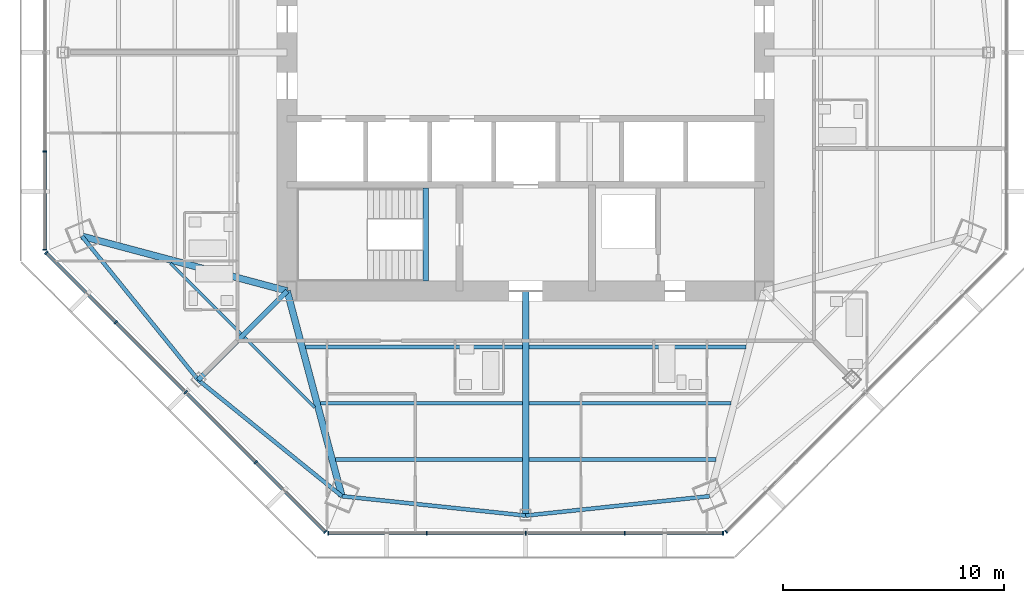
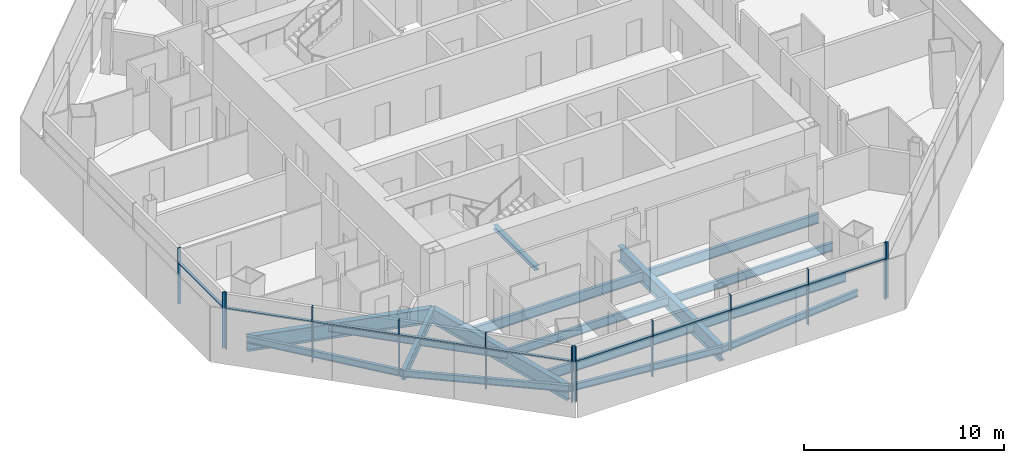
# One storey, part 2 of 15: 22 members, 17 beams, 4 elements without a shape of their own.
"""IFC4 building model written with IfcOpenShell, lengths in metres."""

from ifc_helpers import new_model, si_unit, direction, frame, origin, origin_2d, place, context, subcontext, project, spatial, rectangle, i_section, extrude, source, transform, mapped, material, material_profile, profile_set, type_object, type_shapes, element, aggregate, save


model = new_model("IFC4")

# Units and contexts
model_context = context("Model", 3, precision=1e-05, world=origin(), true_north=direction((0.0, 1.0)))
body_context = subcontext(model_context, "Body", "Model", "MODEL_VIEW")
ifc_project = project(units=[si_unit("LENGTHUNIT", "METRE"), si_unit("AREAUNIT", "SQUARE_METRE"), si_unit("VOLUMEUNIT", "CUBIC_METRE"), si_unit("PLANEANGLEUNIT", "RADIAN"), si_unit("MASSUNIT", "GRAM", prefix="KILO")], contexts=[model_context])

# Site, building, storey
site_placement = place(None, origin())
site = spatial("IfcSite", under=ifc_project, at=site_placement, CompositionType="ELEMENT")
building_placement = place(site_placement, origin())
building = spatial("IfcBuilding", under=site, at=building_placement, Name="Mashrafa Tower", CompositionType="ELEMENT")
storey_placement = place(building_placement, frame((0.0, 0.0, 221.0)))
storey = spatial("IfcBuildingStorey", under=building, at=storey_placement, Name="L51", CompositionType="ELEMENT", Elevation=221.0)

# Beams
ifc_material_1 = material(Name="Steel ASTM A992", Category="steel")
ifc_material_profile_1 = material_profile(ifc_material_1, i_section(OverallWidth=0.140380859375, OverallDepth=0.40380859375, WebThickness=0.007080078125, FlangeThickness=0.01123046875, FilletRadius=0.01025390625, at=origin_2d()), Name="W16X31")
ifc_profile_set_1 = profile_set([ifc_material_profile_1], Name="Steel ASTM A992")
beam_type_1 = type_object("IfcBeamType", Name="Beam W16X31", PredefinedType="BEAM", material=ifc_profile_set_1)
for number, where, z_axis, x_axis, name in (
    (1, (-12.89453125, -12.732421875, -0.40185546875), (-0.707106781187, 0.707106781187, 0.0), (-0.707106781187, -0.707106781187, 0.0), "Floor beam L51 008"),
    (2, (-9.550048828125, -16.076904296875, -0.40185546875), (-0.707106781187, 0.707106781187, 0.0), (-0.707106781187, -0.707106781187, 0.0), "Floor beam L51 012"),
):
    element("IfcBeam", number, at=place(storey_placement, frame(where, z_axis=z_axis, x_axis=x_axis)), inside=storey, type_object=beam_type_1, Name=name, PredefinedType="BEAM", context=body_context, shape_type="SweptSolid", body=[
        extrude(i_section(OverallWidth=0.140380859375, OverallDepth=0.40380859375, WebThickness=0.007080078125, FlangeThickness=0.01123046875, FilletRadius=0.01025390625, at=origin_2d()), origin(), (0.0, 0.0, 1.0), 4.50048828125),
    ])
ifc_material_2 = material(Name="Steel ASTM A992", Category="steel")
ifc_material_profile_2 = material_profile(ifc_material_2, i_section(OverallWidth=0.177734375, OverallDepth=0.406494140625, WebThickness=0.0078125, FlangeThickness=0.012939453125, FilletRadius=0.01025390625, at=origin_2d()), Name="W16X40")
ifc_profile_set_2 = profile_set([ifc_material_profile_2], Name="Steel ASTM A992")
beam_type_2 = type_object("IfcBeamType", Name="Beam W16X40", PredefinedType="BEAM", material=ifc_profile_set_2)
for number, where, z_axis, x_axis, name in (
    (3, (-20.09033203125, -8.32177734375, -0.4033203125), (0.629008525016, -0.777398402016, 0.0), (0.777398402016, 0.629008525016, 0.0), "Spandrel beam L51 050"),
    (4, (-14.826904296875, -14.826904296875, -0.4033203125), (0.777398402016, -0.629008525016, 0.0), (0.629008525016, 0.777398402016, 0.0), "Spandrel beam L51 052"),
    (5, (-8.32177734375, -20.09033203125, -0.4033203125), (0.994478081914, -0.104944483385, 0.0), (0.104944483385, 0.994478081914, 0.0), "Spandrel beam L51 054"),
    (6, (0.0, -20.968505859375, -0.4033203125), (0.994478081914, 0.104944483385, 0.0), (-0.104944483385, 0.994478081914, 0.0), "Spandrel beam L51 056"),
):
    element("IfcBeam", number, at=place(storey_placement, frame(where, z_axis=z_axis, x_axis=x_axis)), inside=storey, type_object=beam_type_2, Name=name, PredefinedType="BEAM", context=body_context, shape_type="SweptSolid", body=[
        extrude(i_section(OverallWidth=0.177734375, OverallDepth=0.406494140625, WebThickness=0.0078125, FlangeThickness=0.012939453125, FilletRadius=0.01025390625, at=origin_2d()), origin(), (0.0, 0.0, 1.0), 8.367919921875),
    ])
ifc_material_3 = material(Name="Steel ASTM A992", Category="steel")
ifc_material_profile_3 = material_profile(ifc_material_3, i_section(OverallWidth=0.1650390625, OverallDepth=0.52587890625, WebThickness=0.0087890625, FlangeThickness=0.011474609375, FilletRadius=0.0126953125, at=origin_2d()), Name="W21X44")
ifc_profile_set_3 = profile_set([ifc_material_profile_3], Name="Steel ASTM A992")
beam_type_3 = type_object("IfcBeamType", Name="Beam W21X44", PredefinedType="BEAM", material=ifc_profile_set_3)
for number, where, z_axis, x_axis, name in (
    (7, (-0.15380859375, -15.88427734375, -0.462890625), (-1.0, 0.0, 0.0), (0.0, -1.0, 0.0), "Floor beam L51 015"),
    (8, (9.285888671875, -15.88427734375, -0.462890625), (-1.0, 0.0, 0.0), (0.0, -1.0, 0.0), "Floor beam L51 022"),
):
    element("IfcBeam", number, at=place(storey_placement, frame(where, z_axis=z_axis, x_axis=x_axis)), inside=storey, type_object=beam_type_3, Name=name, PredefinedType="BEAM", context=body_context, shape_type="SweptSolid", body=[
        extrude(i_section(OverallWidth=0.1650390625, OverallDepth=0.52587890625, WebThickness=0.0087890625, FlangeThickness=0.011474609375, FilletRadius=0.0126953125, at=origin_2d()), origin(), (0.0, 0.0, 1.0), 9.132080078125),
    ])
ifc_material_4 = material(Name="Steel ASTM A992", Category="steel")
ifc_material_profile_4 = material_profile(ifc_material_4, i_section(OverallWidth=0.177978515625, OverallDepth=0.599365234375, WebThickness=0.010009765625, FlangeThickness=0.012939453125, FilletRadius=0.012939453125, at=origin_2d()), Name="W24X55")
ifc_profile_set_4 = profile_set([ifc_material_profile_4], Name="Steel ASTM A992")
beam_type_4 = type_object("IfcBeamType", Name="Beam W24X55", PredefinedType="BEAM", material=ifc_profile_set_4)
beam_1_placement = place(storey_placement, frame((-0.15380859375, -18.426513671875, -0.499755859375), z_axis=(-1.0, 0.0, 0.0), x_axis=(0.0, -1.0, 0.0)))
element("IfcBeam", 9, at=beam_1_placement, inside=storey, type_object=beam_type_4, Name="Floor beam L51 014", PredefinedType="BEAM", context=body_context, shape_type="SweptSolid", body=[
    extrude(i_section(OverallWidth=0.177978515625, OverallDepth=0.599365234375, WebThickness=0.010009765625, FlangeThickness=0.012939453125, FilletRadius=0.012939453125, at=origin_2d()), origin(), (0.0, 0.0, 1.0), 8.4541015625),
])
beam_2_placement = place(storey_placement, frame((-0.15380859375, -13.34228515625, -0.499755859375), z_axis=(-1.0, 0.0, 0.0), x_axis=(0.0, -1.0, 0.0)))
element("IfcBeam", 10, at=beam_2_placement, inside=storey, type_object=beam_type_4, Name="Floor beam L51 016", PredefinedType="BEAM", context=body_context, shape_type="SweptSolid", body=[
    extrude(i_section(OverallWidth=0.177978515625, OverallDepth=0.599365234375, WebThickness=0.010009765625, FlangeThickness=0.012939453125, FilletRadius=0.012939453125, at=origin_2d()), origin(), (0.0, 0.0, 1.0), 9.810302734375),
])
beam_3_placement = place(storey_placement, frame((8.60791015625, -18.426513671875, -0.499755859375), z_axis=(-1.0, 0.0, 0.0), x_axis=(0.0, -1.0, 0.0)))
element("IfcBeam", 11, at=beam_3_placement, inside=storey, type_object=beam_type_4, Name="Floor beam L51 020", PredefinedType="BEAM", context=body_context, shape_type="SweptSolid", body=[
    extrude(i_section(OverallWidth=0.177978515625, OverallDepth=0.599365234375, WebThickness=0.010009765625, FlangeThickness=0.012939453125, FilletRadius=0.012939453125, at=origin_2d()), origin(), (0.0, 0.0, 1.0), 8.4541015625),
])
beam_4_placement = place(storey_placement, frame((9.964111328125, -13.34228515625, -0.499755859375), z_axis=(-1.0, 0.0, 0.0), x_axis=(0.0, -1.0, 0.0)))
element("IfcBeam", 12, at=beam_4_placement, inside=storey, type_object=beam_type_4, Name="Floor beam L51 023", PredefinedType="BEAM", context=body_context, shape_type="SweptSolid", body=[
    extrude(i_section(OverallWidth=0.177978515625, OverallDepth=0.599365234375, WebThickness=0.010009765625, FlangeThickness=0.012939453125, FilletRadius=0.012939453125, at=origin_2d()), origin(), (0.0, 0.0, 1.0), 9.810302734375),
])
ifc_material_5 = material(Name="Steel ASTM A992", Category="steel")
ifc_material_profile_5 = material_profile(ifc_material_5, i_section(OverallWidth=0.22900390625, OverallDepth=0.612060546875, WebThickness=0.011962890625, FlangeThickness=0.01953125, FilletRadius=0.0126953125, at=origin_2d()), Name="W24X84")
ifc_profile_set_5 = profile_set([ifc_material_profile_5], Name="Steel ASTM A992")
beam_type_5 = type_object("IfcBeamType", Name="Beam W24X84", PredefinedType="BEAM", material=ifc_profile_set_5)
beam_5_placement = place(storey_placement, frame((-10.800048828125, -10.800048828125, -0.506103515625), z_axis=(-0.707106781187, -0.707106781187, 0.0), x_axis=(0.707106781187, -0.707106781187, 0.0)))
element("IfcBeam", 13, at=beam_5_placement, inside=storey, type_object=beam_type_5, Name="Radial girder L51 034", PredefinedType="BEAM", context=body_context, shape_type="SweptSolid", body=[
    extrude(i_section(OverallWidth=0.22900390625, OverallDepth=0.612060546875, WebThickness=0.011962890625, FlangeThickness=0.01953125, FilletRadius=0.0126953125, at=origin_2d()), origin(), (0.0, 0.0, 1.0), 5.69482421875),
])
ifc_material_6 = material(Name="Steel ASTM A992", Category="steel")
ifc_material_profile_6 = material_profile(ifc_material_6, i_section(OverallWidth=0.3046875, OverallDepth=0.911865234375, WebThickness=0.015869140625, FlangeThickness=0.02392578125, FilletRadius=0.01904296875, at=origin_2d()), Name="W36X150")
ifc_profile_set_6 = profile_set([ifc_material_profile_6], Name="Steel ASTM A992")
beam_type_6 = type_object("IfcBeamType", Name="Beam W36X150", PredefinedType="BEAM", material=ifc_profile_set_6)
for number, where, z_axis, x_axis, name in (
    (14, (-10.800048828125, -10.800048828125, -0.656005859375), (-0.966212600114, 0.257746409055, 0.0), (-0.257746409055, -0.966212600114, 0.0), "Radial girder L51 033"),
    (15, (-10.800048828125, -10.800048828125, -0.656005859375), (0.257746409055, -0.966212600114, 0.0), (0.966212600114, 0.257746409055, 0.0), "Radial girder L51 035"),
):
    element("IfcBeam", number, at=place(storey_placement, frame(where, z_axis=z_axis, x_axis=x_axis)), inside=storey, type_object=beam_type_6, Name=name, PredefinedType="BEAM", context=body_context, shape_type="SweptSolid", body=[
        extrude(i_section(OverallWidth=0.3046875, OverallDepth=0.911865234375, WebThickness=0.015869140625, FlangeThickness=0.02392578125, FilletRadius=0.01904296875, at=origin_2d()), origin(), (0.0, 0.0, 1.0), 9.615234375),
    ])
ifc_material_7 = material(Name="Steel ASTM A992", Category="steel")
ifc_material_profile_7 = material_profile(ifc_material_7, i_section(OverallWidth=0.307373046875, OverallDepth=0.927001953125, WebThickness=0.01953125, FlangeThickness=0.031982421875, FilletRadius=0.01904296875, at=origin_2d()), Name="W36X194")
ifc_profile_set_7 = profile_set([ifc_material_profile_7], Name="Steel ASTM A992")
beam_type_7 = type_object("IfcBeamType", Name="Beam W36X194", PredefinedType="BEAM", material=ifc_profile_set_7)
beam_6_placement = place(storey_placement, frame((0.0, -10.800048828125, -0.66357421875), z_axis=(0.0, -1.0, 0.0), x_axis=(1.0, 0.0, 0.0)))
element("IfcBeam", 16, at=beam_6_placement, inside=storey, type_object=beam_type_7, Name="Radial girder L51 040", PredefinedType="BEAM", context=body_context, shape_type="SweptSolid", body=[
    extrude(i_section(OverallWidth=0.307373046875, OverallDepth=0.927001953125, WebThickness=0.01953125, FlangeThickness=0.031982421875, FilletRadius=0.01904296875, at=origin_2d()), origin(), (0.0, 0.0, 1.0), 10.16845703125),
])
ifc_material_8 = material(Name="Steel ASTM A992", Category="steel")
ifc_material_profile_8 = material_profile(ifc_material_8, i_section(OverallWidth=0.25390625, OverallDepth=0.25390625, WebThickness=0.008544921875, FlangeThickness=0.01416015625, FilletRadius=0.010009765625, at=origin_2d()), Name="W10X49")
ifc_profile_set_8 = profile_set([ifc_material_profile_8], Name="Steel ASTM A992")
beam_type_8 = type_object("IfcBeamType", Name="Hoistway beam W10X49", PredefinedType="BEAM", material=ifc_profile_set_8)
beam_7_placement = place(storey_placement, frame((-4.530029296875, -10.35009765625, -0.326904296875), z_axis=(0.0, 1.0, 0.0), x_axis=(-1.0, 0.0, 0.0)))
element("IfcBeam", 17, at=beam_7_placement, inside=storey, type_object=beam_type_8, Name="Stair S3 landing beam L51", PredefinedType="BEAM", context=body_context, shape_type="SweptSolid", body=[
    extrude(i_section(OverallWidth=0.25390625, OverallDepth=0.25390625, WebThickness=0.008544921875, FlangeThickness=0.01416015625, FilletRadius=0.010009765625, at=origin_2d()), origin(), (0.0, 0.0, 1.0), 4.2001953125),
])

# Curtain wall, members
ifc_material_9 = material(Name="Unitised aluminium curtain wall", Category="aluminium")
curtain_wall_type = type_object("IfcCurtainWallType", Name="Apartment curtain wall, zone 3 CW-C 180 deep", PredefinedType="NOTDEFINED", material=ifc_material_9)
curtain_wall_1_placement = place(storey_placement, origin())
curtain_wall_1 = element("IfcCurtainWall", 18, at=curtain_wall_1_placement, inside=storey, type_object=curtain_wall_type, Name="Apartment curtain wall, zone 3 L51 west", PredefinedType="NOTDEFINED")
ifc_material_10 = material(Name="Extruded aluminium mullion", Category="aluminium")
ifc_material_profile_9 = material_profile(ifc_material_10, rectangle(XDim=0.179931640625, YDim=0.06005859375, at=origin_2d()), Name="Mullion 60x180")
ifc_profile_set_9 = profile_set([ifc_material_profile_9], Name="Extruded aluminium mullion")
member_type_1 = type_object("IfcMemberType", Name="Mullion CW-C 60 x 180", PredefinedType="MULLION", material=ifc_profile_set_9)
shared_shape_1 = source(origin(), body_context, "Body", "SweptSolid", [
    extrude(rectangle(XDim=0.179931640625, YDim=0.06005859375, at=origin_2d()), origin(), (0.0, 0.0, 1.0), 3.39990234375),
])
type_shapes(member_type_1, [shared_shape_1])
member_1_placement = place(storey_placement, frame((-21.762939453125, -4.483642578125, 0.0), z_axis=(0.0, 0.0, 1.0), x_axis=(1.0, 0.0, 0.0)))
member_1 = element("IfcMember", 19, at=member_1_placement, type_object=member_type_1, Name="CW-C mullion 4", PredefinedType="MULLION", context=body_context, shape_type="MappedRepresentation", body=[
    mapped(shared_shape_1, transform((0.0, 0.0, 0.0))),
])
member_2_placement = place(storey_placement, frame((-21.762939453125, -8.937255859375, 0.0), z_axis=(0.0, 0.0, 1.0), x_axis=(1.0, 0.0, 0.0)))
member_2 = element("IfcMember", 20, at=member_2_placement, type_object=member_type_1, Name="CW-C mullion 5", PredefinedType="MULLION", context=body_context, shape_type="MappedRepresentation", body=[
    mapped(shared_shape_1, transform((0.0, 0.0, 0.0))),
])

curtain_wall_2_placement = place(storey_placement, origin())
curtain_wall_2 = element("IfcCurtainWall", 21, at=curtain_wall_2_placement, inside=storey, type_object=curtain_wall_type, Name="Apartment curtain wall, zone 3 L51 south-west", PredefinedType="NOTDEFINED")
member_3_placement = place(storey_placement, frame((-21.708251953125, -9.069091796875, 0.0), z_axis=(0.0, 0.0, 1.0), x_axis=(0.707106781187, 0.707106781187, 0.0)))
member_3 = element("IfcMember", 22, at=member_3_placement, type_object=member_type_1, Name="CW-C mullion 1", PredefinedType="MULLION", context=body_context, shape_type="MappedRepresentation", body=[
    mapped(shared_shape_1, transform((0.0, 0.0, 0.0))),
])
member_4_placement = place(storey_placement, frame((-18.55908203125, -12.21826171875, 0.0), z_axis=(0.0, 0.0, 1.0), x_axis=(0.707106781187, 0.707106781187, 0.0)))
member_4 = element("IfcMember", 23, at=member_4_placement, type_object=member_type_1, Name="CW-C mullion 2", PredefinedType="MULLION", context=body_context, shape_type="MappedRepresentation", body=[
    mapped(shared_shape_1, transform((0.0, 0.0, 0.0))),
])
member_5_placement = place(storey_placement, frame((-15.388671875, -15.388671875, 0.0), z_axis=(0.0, 0.0, 1.0), x_axis=(0.707106781187, 0.707106781187, 0.0)))
member_5 = element("IfcMember", 24, at=member_5_placement, type_object=member_type_1, Name="CW-C mullion 3", PredefinedType="MULLION", context=body_context, shape_type="MappedRepresentation", body=[
    mapped(shared_shape_1, transform((0.0, 0.0, 0.0))),
])
member_6_placement = place(storey_placement, frame((-12.21826171875, -18.55908203125, 0.0), z_axis=(0.0, 0.0, 1.0), x_axis=(0.707106781187, 0.707106781187, 0.0)))
member_6 = element("IfcMember", 25, at=member_6_placement, type_object=member_type_1, Name="CW-C mullion 4", PredefinedType="MULLION", context=body_context, shape_type="MappedRepresentation", body=[
    mapped(shared_shape_1, transform((0.0, 0.0, 0.0))),
])
member_7_placement = place(storey_placement, frame((-9.069091796875, -21.708251953125, 0.0), z_axis=(0.0, 0.0, 1.0), x_axis=(0.707106781187, 0.707106781187, 0.0)))
member_7 = element("IfcMember", 26, at=member_7_placement, type_object=member_type_1, Name="CW-C mullion 5", PredefinedType="MULLION", context=body_context, shape_type="MappedRepresentation", body=[
    mapped(shared_shape_1, transform((0.0, 0.0, 0.0))),
])

curtain_wall_3_placement = place(storey_placement, origin())
curtain_wall_3 = element("IfcCurtainWall", 27, at=curtain_wall_3_placement, inside=storey, type_object=curtain_wall_type, Name="Apartment curtain wall, zone 3 L51 south", PredefinedType="NOTDEFINED")
member_8_placement = place(storey_placement, frame((-8.937255859375, -21.762939453125, 0.0), z_axis=(0.0, 0.0, 1.0), x_axis=(0.0, 1.0, 0.0)))
member_8 = element("IfcMember", 28, at=member_8_placement, type_object=member_type_1, Name="CW-C mullion 1", PredefinedType="MULLION", context=body_context, shape_type="MappedRepresentation", body=[
    mapped(shared_shape_1, transform((0.0, 0.0, 0.0))),
])
member_9_placement = place(storey_placement, frame((-4.483642578125, -21.762939453125, 0.0), z_axis=(0.0, 0.0, 1.0), x_axis=(0.0, 1.0, 0.0)))
member_9 = element("IfcMember", 29, at=member_9_placement, type_object=member_type_1, Name="CW-C mullion 2", PredefinedType="MULLION", context=body_context, shape_type="MappedRepresentation", body=[
    mapped(shared_shape_1, transform((0.0, 0.0, 0.0))),
])
member_10_placement = place(storey_placement, frame((0.0, -21.762939453125, 0.0), z_axis=(0.0, 0.0, 1.0), x_axis=(0.0, 1.0, 0.0)))
member_10 = element("IfcMember", 30, at=member_10_placement, type_object=member_type_1, Name="CW-C mullion 3", PredefinedType="MULLION", context=body_context, shape_type="MappedRepresentation", body=[
    mapped(shared_shape_1, transform((0.0, 0.0, 0.0))),
])
member_11_placement = place(storey_placement, frame((4.483642578125, -21.762939453125, 0.0), z_axis=(0.0, 0.0, 1.0), x_axis=(0.0, 1.0, 0.0)))
member_11 = element("IfcMember", 31, at=member_11_placement, type_object=member_type_1, Name="CW-C mullion 4", PredefinedType="MULLION", context=body_context, shape_type="MappedRepresentation", body=[
    mapped(shared_shape_1, transform((0.0, 0.0, 0.0))),
])
member_12_placement = place(storey_placement, frame((8.937255859375, -21.762939453125, 0.0), z_axis=(0.0, 0.0, 1.0), x_axis=(0.0, 1.0, 0.0)))
member_12 = element("IfcMember", 32, at=member_12_placement, type_object=member_type_1, Name="CW-C mullion 5", PredefinedType="MULLION", context=body_context, shape_type="MappedRepresentation", body=[
    mapped(shared_shape_1, transform((0.0, 0.0, 0.0))),
])

# Curtain wall, member
curtain_wall_4_placement = place(storey_placement, origin())
curtain_wall_4 = element("IfcCurtainWall", 33, at=curtain_wall_4_placement, inside=storey, type_object=curtain_wall_type, Name="Apartment curtain wall, zone 3 L51 south-east", PredefinedType="NOTDEFINED")
member_13_placement = place(storey_placement, frame((9.069091796875, -21.708251953125, 0.0), z_axis=(0.0, 0.0, 1.0), x_axis=(-0.707106781187, 0.707106781187, 0.0)))
member_13 = element("IfcMember", 34, at=member_13_placement, type_object=member_type_1, Name="CW-C mullion 1", PredefinedType="MULLION", context=body_context, shape_type="MappedRepresentation", body=[
    mapped(shared_shape_1, transform((0.0, 0.0, 0.0))),
])
aggregate(curtain_wall_4, [member_13])

# Member
ifc_material_11 = material(Name="Extruded aluminium transom", Category="aluminium")
ifc_material_profile_10 = material_profile(ifc_material_11, rectangle(XDim=0.14404296875, YDim=0.074951171875, at=origin_2d()), Name="Transom 75x144")
ifc_profile_set_10 = profile_set([ifc_material_profile_10], Name="Extruded aluminium transom")
member_type_2 = type_object("IfcMemberType", Name="Transom CW-C 75 x 144", PredefinedType="MULLION", material=ifc_profile_set_10)
shared_shape_2 = source(origin(), body_context, "Body", "SweptSolid", [
    extrude(rectangle(XDim=0.14404296875, YDim=0.074951171875, at=origin_2d()), origin(), (0.0, 0.0, 1.0), 4.3935546875),
])
member_14_placement = place(storey_placement, frame((-21.762939453125, -4.513671875, 2.5), z_axis=(0.0, -1.0, 0.0), x_axis=(1.0, 0.0, 0.0)))
member_14 = element("IfcMember", 35, at=member_14_placement, type_object=member_type_2, Name="CW-C transom 4", PredefinedType="MULLION", context=body_context, shape_type="MappedRepresentation", body=[
    mapped(shared_shape_2, transform((0.0, 0.0, 0.0))),
])

aggregate(curtain_wall_1, [member_1, member_2, member_14])

member_15_placement = place(storey_placement, frame((-21.68701171875, -9.09033203125, 2.5), z_axis=(0.707106781187, -0.707106781187, 0.0), x_axis=(0.707106781187, 0.707106781187, 0.0)))
member_15 = element("IfcMember", 36, at=member_15_placement, type_object=member_type_2, Name="CW-C transom 1", PredefinedType="MULLION", context=body_context, shape_type="MappedRepresentation", body=[
    mapped(shared_shape_2, transform((0.0, 0.0, 0.0))),
])

member_16_placement = place(storey_placement, frame((-12.197021484375, -18.580322265625, 2.5), z_axis=(0.707106781187, -0.707106781187, 0.0), x_axis=(0.707106781187, 0.707106781187, 0.0)))
member_16 = element("IfcMember", 37, at=member_16_placement, type_object=member_type_2, Name="CW-C transom 4", PredefinedType="MULLION", context=body_context, shape_type="MappedRepresentation", body=[
    mapped(shared_shape_2, transform((0.0, 0.0, 0.0))),
])

member_17_placement = place(storey_placement, frame((-8.9072265625, -21.762939453125, 2.5), z_axis=(1.0, 0.0, 0.0), x_axis=(0.0, 1.0, 0.0)))
member_17 = element("IfcMember", 38, at=member_17_placement, type_object=member_type_2, Name="CW-C transom 1", PredefinedType="MULLION", context=body_context, shape_type="MappedRepresentation", body=[
    mapped(shared_shape_2, transform((0.0, 0.0, 0.0))),
])

member_18_placement = place(storey_placement, frame((4.513671875, -21.762939453125, 2.5), z_axis=(1.0, 0.0, 0.0), x_axis=(0.0, 1.0, 0.0)))
member_18 = element("IfcMember", 39, at=member_18_placement, type_object=member_type_2, Name="CW-C transom 4", PredefinedType="MULLION", context=body_context, shape_type="MappedRepresentation", body=[
    mapped(shared_shape_2, transform((0.0, 0.0, 0.0))),
])

shared_shape_3 = source(origin(), body_context, "Body", "SweptSolid", [
    extrude(rectangle(XDim=0.14404296875, YDim=0.074951171875, at=origin_2d()), origin(), (0.0, 0.0, 1.0), 4.423583984375),
])
type_shapes(member_type_2, [shared_shape_2, shared_shape_3])
member_19_placement = place(storey_placement, frame((-18.537841796875, -12.239501953125, 2.5), z_axis=(0.707106781187, -0.707106781187, 0.0), x_axis=(0.707106781187, 0.707106781187, 0.0)))
member_19 = element("IfcMember", 40, at=member_19_placement, type_object=member_type_2, Name="CW-C transom 2", PredefinedType="MULLION", context=body_context, shape_type="MappedRepresentation", body=[
    mapped(shared_shape_3, transform((0.0, 0.0, 0.0))),
])

member_20_placement = place(storey_placement, frame((-15.367431640625, -15.409912109375, 2.5), z_axis=(0.707106781187, -0.707106781187, 0.0), x_axis=(0.707106781187, 0.707106781187, 0.0)))
member_20 = element("IfcMember", 41, at=member_20_placement, type_object=member_type_2, Name="CW-C transom 3", PredefinedType="MULLION", context=body_context, shape_type="MappedRepresentation", body=[
    mapped(shared_shape_3, transform((0.0, 0.0, 0.0))),
])

aggregate(curtain_wall_2, [member_3, member_4, member_5, member_6, member_7, member_15, member_19, member_20, member_16])

member_21_placement = place(storey_placement, frame((-4.45361328125, -21.762939453125, 2.5), z_axis=(1.0, 0.0, 0.0), x_axis=(0.0, 1.0, 0.0)))
member_21 = element("IfcMember", 42, at=member_21_placement, type_object=member_type_2, Name="CW-C transom 2", PredefinedType="MULLION", context=body_context, shape_type="MappedRepresentation", body=[
    mapped(shared_shape_3, transform((0.0, 0.0, 0.0))),
])

member_22_placement = place(storey_placement, frame((0.030029296875, -21.762939453125, 2.5), z_axis=(1.0, 0.0, 0.0), x_axis=(0.0, 1.0, 0.0)))
member_22 = element("IfcMember", 43, at=member_22_placement, type_object=member_type_2, Name="CW-C transom 3", PredefinedType="MULLION", context=body_context, shape_type="MappedRepresentation", body=[
    mapped(shared_shape_3, transform((0.0, 0.0, 0.0))),
])

aggregate(curtain_wall_3, [member_8, member_9, member_10, member_11, member_12, member_17, member_21, member_22, member_18])

save(model, "model.ifc")
